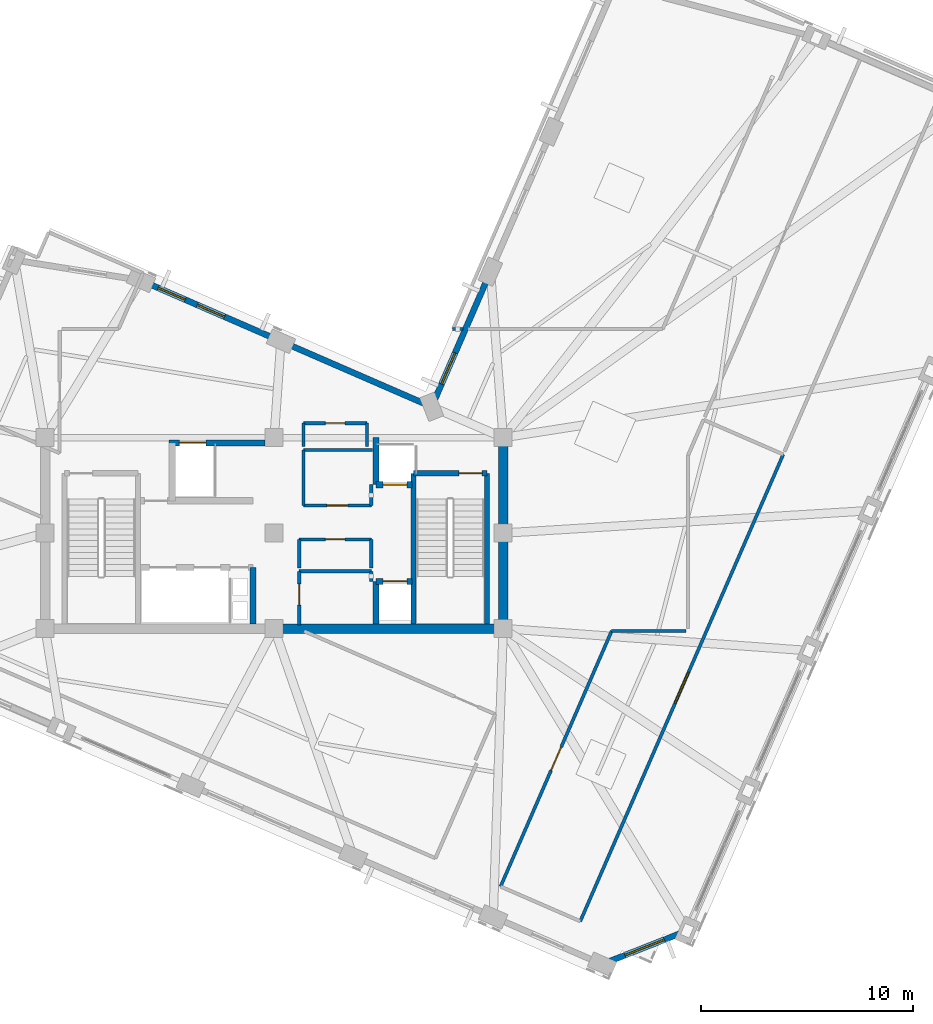
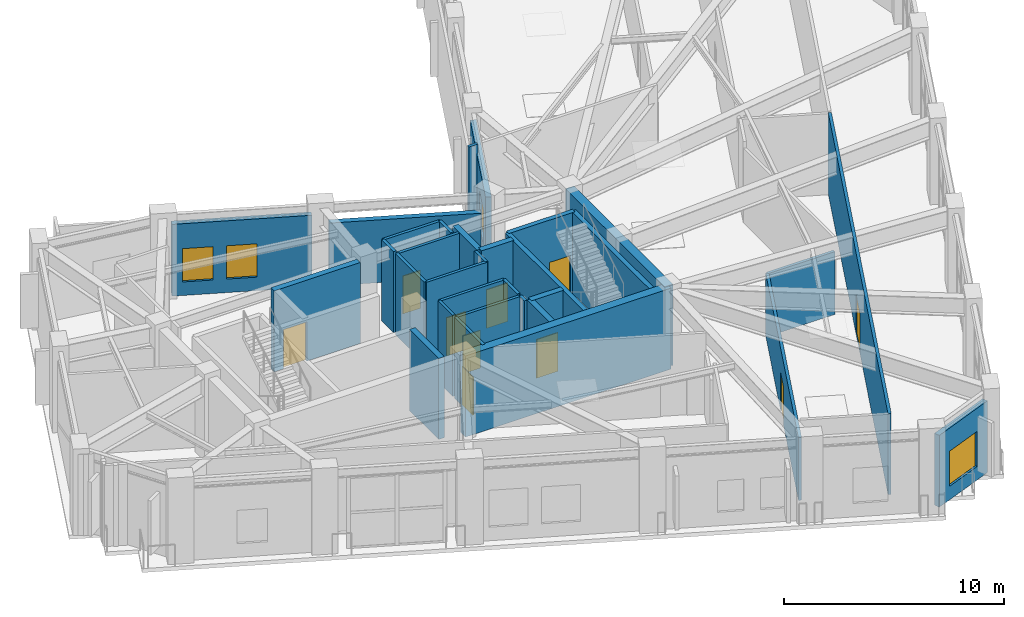
# One storey, part 11 of 16: 32 walls, 10 doors, 4 windows, 14 openings.
"""IFC4 building model written with IfcOpenShell, lengths in metres."""

from ifc_helpers import new_model, si_unit, direction, frame, frame_2d, origin, place, context, subcontext, project, spatial, rectangle, extrude, material, layer, layer_set, type_object, element, fill, save


model = new_model("IFC4")

# Units and contexts
model_context = context("Model", 3, precision=1e-05, world=origin(), true_north=direction((0.0, 1.0)))
body_context = subcontext(model_context, "Body", "Model", "MODEL_VIEW")
ifc_project = project(units=[si_unit("LENGTHUNIT", "METRE"), si_unit("AREAUNIT", "SQUARE_METRE"), si_unit("VOLUMEUNIT", "CUBIC_METRE"), si_unit("PLANEANGLEUNIT", "RADIAN"), si_unit("MASSUNIT", "GRAM", prefix="KILO")], contexts=[model_context])

# Site, building, storey
site_placement = place(None, origin())
site = spatial("IfcSite", under=ifc_project, at=site_placement, CompositionType="ELEMENT")
building_placement = place(site_placement, origin())
building = spatial("IfcBuilding", under=site, at=building_placement, Name="Gaonmaruhae Medical Tower", CompositionType="ELEMENT")
storey_placement = place(building_placement, frame((0.0, 0.0, 333.39990234375)))
storey = spatial("IfcBuildingStorey", under=building, at=storey_placement, Name="L80", CompositionType="ELEMENT", Elevation=333.39990234375)

# Walls
ifc_material_1 = material(Name="Concrete C50/60", Category="concrete")
ifc_layer_1 = layer(ifc_material_1, 0.449951171875)
ifc_layer_set_1 = layer_set([ifc_layer_1], Name="Concrete C50/60")
wall_type_1 = type_object("IfcWallType", Name="CW-450 Upper Core Shear Wall", PredefinedType="SHEAR", material=ifc_layer_set_1)
wall_1_placement = place(storey_placement, frame((24.800048828125, 7.800048828125, 0.0), z_axis=(0.0, 0.0, 1.0), x_axis=(1.0, 0.0, 0.0)))
element("IfcWall", 1, at=wall_1_placement, inside=storey, type_object=wall_type_1, Name="L80 Core Shear Wall CSW-S2", PredefinedType="SHEAR", context=body_context, shape_type="SweptSolid", body=[
    extrude(rectangle(XDim=10.800048828125, YDim=0.449951171875, at=frame_2d((5.39990234375, 0.0))), origin(), (0.0, 0.0, 1.0), 4.5),
])
wall_2_placement = place(storey_placement, frame((35.60009765625, 7.800048828125, 0.0), z_axis=(0.0, 0.0, 1.0), x_axis=(0.0, 1.0, 0.0)))
element("IfcWall", 2, at=wall_2_placement, inside=storey, type_object=wall_type_1, Name="L80 Core Shear Wall CSW-E1", PredefinedType="SHEAR", context=body_context, shape_type="SweptSolid", body=[
    extrude(rectangle(XDim=9.0, YDim=0.449951171875, at=frame_2d((4.5, 0.0))), origin(), (0.0, 0.0, 1.0), 4.5),
])

# Wall, opening, window
ifc_material_2 = material(Name="Precast concrete C45/55", Category="concrete")
ifc_layer_2 = layer(ifc_material_2, 0.280029296875)
ifc_layer_set_2 = layer_set([ifc_layer_2], Name="Precast concrete C45/55")
wall_type_2 = type_object("IfcWallType", Name="EW-280 Upper Precast Masonry-Frame Facade Wall", PredefinedType="SOLIDWALL", material=ifc_layer_set_2)
wall_3_placement = place(storey_placement, frame((32.384765625, 18.619384765625, 0.0), z_axis=(0.0, 0.0, 1.0), x_axis=(0.398753668733, 0.917058074318, 0.0)))
wall_3 = element("IfcWall", 3, at=wall_3_placement, inside=storey, type_object=wall_type_2, Name="L80 Precast Masonry-Frame Wall EN02-KN01", PredefinedType="SOLIDWALL", context=body_context, shape_type="SweptSolid", body=[
    extrude(rectangle(XDim=6.155029296875, YDim=0.280029296875, at=frame_2d((3.07763671875, 0.0))), origin(), (0.0, 0.0, 1.0), 3.985107421875),
])
opening_1_placement = place(wall_3_placement, frame((0.77490234375, 0.0, 0.75)))
opening_1 = element("IfcOpeningElement", 4, at=opening_1_placement, cuts=wall_3, Name="Opening WN-01", PredefinedType="OPENING", context=body_context, shape_type="SweptSolid", body=[
    extrude(rectangle(XDim=1.60009765625, YDim=1.949951171875, at=frame_2d((0.800048828125, 0.97509765625))), frame((0.0, 0.14990234375, 0.0), z_axis=(0.0, -1.0, 0.0), x_axis=(1.0, 0.0, 0.0)), (0.0, 0.0, 1.0), 0.300048828125),
])
ifc_material_3 = material(Name="Anodised aluminium and Low-E double glazing", Category="aluminium")
window_type_1 = type_object("IfcWindowType", Name="WN-01 Ward Punched Acoustic Window 1600x1950", PartitioningType="SINGLE_PANEL", PredefinedType="WINDOW", material=ifc_material_3)
window_1_placement = place(opening_1_placement, origin())
window_1 = element("IfcWindow", 5, at=window_1_placement, inside=storey, type_object=window_type_1, Name="L80 Modular Facade Window EN02", OverallHeight=1.949951171875, OverallWidth=1.60009765625, PartitioningType="SINGLE_PANEL", PredefinedType="WINDOW", context=body_context, shape_type="SweptSolid", body=[
    extrude(rectangle(XDim=1.60009765625, YDim=1.949951171875, at=frame_2d((0.800048828125, 0.97509765625))), frame((0.0, 0.030029296875, 0.0), z_axis=(0.0, -1.0, 0.0), x_axis=(1.0, 0.0, 0.0)), (0.0, 0.0, 1.0), 0.06005859375),
])
fill(opening_1, window_1)

# Wall
wall_4_placement = place(storey_placement, frame((25.483642578125, 21.186767578125, 0.0), z_axis=(0.0, 0.0, 1.0), x_axis=(0.917060568388, -0.398747932794, 0.0)))
element("IfcWall", 6, at=wall_4_placement, inside=storey, type_object=wall_type_2, Name="L80 Precast Masonry-Frame Wall KN01-NE01", PredefinedType="SOLIDWALL", context=body_context, shape_type="SweptSolid", body=[
    extrude(rectangle(XDim=6.954833984375, YDim=0.280029296875, at=frame_2d((3.4775390625, 0.0))), origin(), (0.0, 0.0, 1.0), 3.485107421875),
])

# Wall, openings, windows
wall_5_placement = place(storey_placement, frame((18.880859375, 24.0576171875, 0.0), z_axis=(0.0, 0.0, 1.0), x_axis=(0.917070056253, -0.398726111414, 0.0)))
wall_5 = element("IfcWall", 7, at=wall_5_placement, inside=storey, type_object=wall_type_2, Name="L80 Precast Masonry-Frame Wall NE01-NE02", PredefinedType="SOLIDWALL", context=body_context, shape_type="SweptSolid", body=[
    extrude(rectangle(XDim=6.40478515625, YDim=0.280029296875, at=frame_2d((3.202392578125, 0.0))), origin(), (0.0, 0.0, 1.0), 3.985107421875),
])
opening_2_placement = place(wall_5_placement, frame((2.50244140625, 0.0, 0.75)))
opening_2 = element("IfcOpeningElement", 8, at=opening_2_placement, cuts=wall_5, Name="Opening WN-03", PredefinedType="OPENING", context=body_context, shape_type="SweptSolid", body=[
    extrude(rectangle(XDim=1.39990234375, YDim=1.85009765625, at=frame_2d((0.699951171875, 0.925048828125))), frame((0.0, 0.14990234375, 0.0), z_axis=(0.0, -1.0, 0.0), x_axis=(1.0, 0.0, 0.0)), (0.0, 0.0, 1.0), 0.300048828125),
])
opening_3_placement = place(wall_5_placement, frame((0.486083984375, 0.0, 0.75)))
opening_3 = element("IfcOpeningElement", 9, at=opening_3_placement, cuts=wall_5, Name="Opening WN-03", PredefinedType="OPENING", context=body_context, shape_type="SweptSolid", body=[
    extrude(rectangle(XDim=1.39990234375, YDim=1.85009765625, at=frame_2d((0.699951171875, 0.925048828125))), frame((0.0, 0.14990234375, 0.0), z_axis=(0.0, -1.0, 0.0), x_axis=(1.0, 0.0, 0.0)), (0.0, 0.0, 1.0), 0.300048828125),
])
window_type_2 = type_object("IfcWindowType", Name="WN-03 Isolation Ward Punched Window 1400x1850", PartitioningType="SINGLE_PANEL", PredefinedType="WINDOW", material=ifc_material_3)
window_2_placement = place(opening_2_placement, origin())
window_2 = element("IfcWindow", 10, at=window_2_placement, inside=storey, type_object=window_type_2, Name="L80 Modular Facade Window NE01", OverallHeight=1.85009765625, OverallWidth=1.39990234375, PartitioningType="SINGLE_PANEL", PredefinedType="WINDOW", context=body_context, shape_type="SweptSolid", body=[
    extrude(rectangle(XDim=1.39990234375, YDim=1.85009765625, at=frame_2d((0.699951171875, 0.925048828125))), frame((0.0, 0.030029296875, 0.0), z_axis=(0.0, -1.0, 0.0), x_axis=(1.0, 0.0, 0.0)), (0.0, 0.0, 1.0), 0.06005859375),
])
fill(opening_2, window_2)
window_3_placement = place(opening_3_placement, origin())
window_3 = element("IfcWindow", 11, at=window_3_placement, inside=storey, type_object=window_type_2, Name="L80 Modular Facade Window NE01B", OverallHeight=1.85009765625, OverallWidth=1.39990234375, PartitioningType="SINGLE_PANEL", PredefinedType="WINDOW", context=body_context, shape_type="SweptSolid", body=[
    extrude(rectangle(XDim=1.39990234375, YDim=1.85009765625, at=frame_2d((0.699951171875, 0.925048828125))), frame((0.0, 0.030029296875, 0.0), z_axis=(0.0, -1.0, 0.0), x_axis=(1.0, 0.0, 0.0)), (0.0, 0.0, 1.0), 0.06005859375),
])
fill(opening_3, window_3)

# Wall, opening, window
wall_6_placement = place(storey_placement, frame((43.9052734375, -6.593994140625, 0.0), z_axis=(0.0, 0.0, 1.0), x_axis=(-0.930406958637, -0.366528158974, 0.0)))
wall_6 = element("IfcWall", 12, at=wall_6_placement, inside=storey, type_object=wall_type_2, Name="L80 Precast Masonry-Frame Wall W06-S01", PredefinedType="SOLIDWALL", context=body_context, shape_type="SweptSolid", body=[
    extrude(rectangle(XDim=3.518310546875, YDim=0.280029296875, at=frame_2d((1.75927734375, 0.0))), origin(), (0.0, 0.0, 1.0), 3.985107421875),
])
opening_4_placement = place(wall_6_placement, frame((0.759033203125, 0.0, 0.75)))
opening_4 = element("IfcOpeningElement", 13, at=opening_4_placement, cuts=wall_6, Name="Opening WN-02", PredefinedType="OPENING", context=body_context, shape_type="SweptSolid", body=[
    extrude(rectangle(XDim=2.0, YDim=1.949951171875, at=frame_2d((1.0, 0.97509765625))), frame((0.0, 0.14990234375, 0.0), z_axis=(0.0, -1.0, 0.0), x_axis=(1.0, 0.0, 0.0)), (0.0, 0.0, 1.0), 0.300048828125),
])
window_type_3 = type_object("IfcWindowType", Name="WN-02 Double-Bed Ward Punched Window 2000x1950", PartitioningType="SINGLE_PANEL", PredefinedType="WINDOW", material=ifc_material_3)
window_4_placement = place(opening_4_placement, origin())
window_4 = element("IfcWindow", 14, at=window_4_placement, inside=storey, type_object=window_type_3, Name="L80 Modular Facade Window W06", OverallHeight=1.949951171875, OverallWidth=2.0, PartitioningType="SINGLE_PANEL", PredefinedType="WINDOW", context=body_context, shape_type="SweptSolid", body=[
    extrude(rectangle(XDim=2.0, YDim=1.949951171875, at=frame_2d((1.0, 0.97509765625))), frame((0.0, 0.030029296875, 0.0), z_axis=(0.0, -1.0, 0.0), x_axis=(1.0, 0.0, 0.0)), (0.0, 0.0, 1.0), 0.06005859375),
])
fill(opening_4, window_4)

# Wall, opening, door
ifc_material_4 = material(Name="Gypsum board partition", Category="gypsum")
ifc_layer_3 = layer(ifc_material_4, 0.14990234375)
ifc_layer_set_3 = layer_set([ifc_layer_3], Name="Gypsum board partition")
wall_type_3 = type_object("IfcWallType", Name="PW-150 Rated Clinical Corridor Partition", PredefinedType="PARTITIONING", material=ifc_layer_set_3)
wall_7_placement = place(storey_placement, frame((25.97998046875, 7.9599609375, 0.0), z_axis=(0.0, 0.0, 1.0), x_axis=(0.0, 1.0, 0.0)))
wall_7 = element("IfcWall", 15, at=wall_7_placement, inside=storey, type_object=wall_type_3, Name="L80 Interior Partition L80-RCL1-1", PredefinedType="PARTITIONING", context=body_context, shape_type="SweptSolid", body=[
    extrude(rectangle(XDim=2.5400390625, YDim=0.14990234375, at=frame_2d((1.27001953125, 0.0))), origin(), (0.0, 0.0, 1.0), 4.5),
])
opening_5_placement = place(wall_7_placement, frame((0.945068359375, 0.0, 0.0)))
opening_5 = element("IfcOpeningElement", 16, at=opening_5_placement, cuts=wall_7, Name="Opening CD-01", PredefinedType="OPENING", context=body_context, shape_type="SweptSolid", body=[
    extrude(rectangle(XDim=1.0, YDim=2.1201171875, at=frame_2d((0.5, 1.06005859375))), frame((0.0, 0.0849609375, 0.0), z_axis=(0.0, -1.0, 0.0), x_axis=(1.0, 0.0, 0.0)), (0.0, 0.0, 1.0), 0.169921875),
])
ifc_material_5 = material(Name="Antimicrobial laminate timber fire door", Category="wood")
door_type_1 = type_object("IfcDoorType", Name="CD-01 Consultation & Physician Office Door 1000x2120", OperationType="NOTDEFINED", PredefinedType="DOOR", material=ifc_material_5)
door_1_placement = place(opening_5_placement, origin())
door_1 = element("IfcDoor", 17, at=door_1_placement, inside=storey, type_object=door_type_1, Name="L80 Clinical Telemetry and Medication Room Door", OperationType="SINGLE_SWING_RIGHT", OverallHeight=2.1201171875, OverallWidth=1.0, PredefinedType="DOOR", context=body_context, shape_type="SweptSolid", body=[
    extrude(rectangle(XDim=1.0, YDim=2.1201171875, at=frame_2d((0.5, 1.06005859375))), frame((0.0, 0.02490234375, 0.0), z_axis=(0.0, -1.0, 0.0), x_axis=(1.0, 0.0, 0.0)), (0.0, 0.0, 1.0), 0.050048828125),
])
fill(opening_5, door_1)

# Walls
wall_8_placement = place(storey_placement, frame((25.97998046875, 10.5, 0.0), z_axis=(0.0, 0.0, 1.0), x_axis=(1.0, 0.0, 0.0)))
element("IfcWall", 18, at=wall_8_placement, inside=storey, type_object=wall_type_3, Name="L80 Interior Partition L80-RCL1-2", PredefinedType="PARTITIONING", context=body_context, shape_type="SweptSolid", body=[
    extrude(rectangle(XDim=3.39990234375, YDim=0.14990234375, at=frame_2d((1.699951171875, 0.0))), origin(), (0.0, 0.0, 1.0), 4.5),
])
wall_9_placement = place(storey_placement, frame((29.3798828125, 10.5, 0.0), z_axis=(0.0, 0.0, 1.0), x_axis=(0.0, -1.0, 0.0)))
element("IfcWall", 19, at=wall_9_placement, inside=storey, type_object=wall_type_3, Name="L80 Interior Partition L80-RCL1-3", PredefinedType="PARTITIONING", context=body_context, shape_type="SweptSolid", body=[
    extrude(rectangle(XDim=0.47998046875, YDim=0.14990234375, at=frame_2d((0.239990234375, 0.0))), origin(), (0.0, 0.0, 1.0), 4.5),
])
wall_10_placement = place(storey_placement, frame((25.97998046875, 10.659912109375, 0.0), z_axis=(0.0, 0.0, 1.0), x_axis=(0.0, 1.0, 0.0)))
element("IfcWall", 20, at=wall_10_placement, inside=storey, type_object=wall_type_3, Name="L80 Interior Partition L80-CS1-4", PredefinedType="PARTITIONING", context=body_context, shape_type="SweptSolid", body=[
    extrude(rectangle(XDim=1.340087890625, YDim=0.14990234375, at=frame_2d((0.669921875, 0.0))), origin(), (0.0, 0.0, 1.0), 4.5),
])

# Wall, opening, door
wall_11_placement = place(storey_placement, frame((25.97998046875, 12.0, 0.0), z_axis=(0.0, 0.0, 1.0), x_axis=(1.0, 0.0, 0.0)))
wall_11 = element("IfcWall", 21, at=wall_11_placement, inside=storey, type_object=wall_type_3, Name="L80 Interior Partition L80-CS1-5", PredefinedType="PARTITIONING", context=body_context, shape_type="SweptSolid", body=[
    extrude(rectangle(XDim=3.39990234375, YDim=0.14990234375, at=frame_2d((1.699951171875, 0.0))), origin(), (0.0, 0.0, 1.0), 4.5),
])
opening_6_placement = place(wall_11_placement, frame((1.239990234375, 0.0, 0.0)))
opening_6 = element("IfcOpeningElement", 22, at=opening_6_placement, cuts=wall_11, Name="Opening UD-01", PredefinedType="OPENING", context=body_context, shape_type="SweptSolid", body=[
    extrude(rectangle(XDim=0.919921875, YDim=2.10009765625, at=frame_2d((0.4599609375, 1.050048828125))), frame((0.0, 0.0849609375, 0.0), z_axis=(0.0, -1.0, 0.0), x_axis=(1.0, 0.0, 0.0)), (0.0, 0.0, 1.0), 0.169921875),
])
ifc_material_6 = material(Name="Powder-coated steel utility door", Category="steel")
door_type_2 = type_object("IfcDoorType", Name="UD-01 Toilet, Utility & Housekeeping Door 920x2100", OperationType="NOTDEFINED", PredefinedType="DOOR", material=ifc_material_6)
door_2_placement = place(opening_6_placement, origin())
door_2 = element("IfcDoor", 23, at=door_2_placement, inside=storey, type_object=door_type_2, Name="L80 Accessible Staff Toilet Door", OperationType="SINGLE_SWING_LEFT", OverallHeight=2.10009765625, OverallWidth=0.919921875, PredefinedType="DOOR", context=body_context, shape_type="SweptSolid", body=[
    extrude(rectangle(XDim=0.919921875, YDim=2.10009765625, at=frame_2d((0.4599609375, 1.050048828125))), frame((0.0, 0.02490234375, 0.0), z_axis=(0.0, -1.0, 0.0), x_axis=(1.0, 0.0, 0.0)), (0.0, 0.0, 1.0), 0.050048828125),
])
fill(opening_6, door_2)

# Walls
wall_12_placement = place(storey_placement, frame((29.3798828125, 12.0, 0.0), z_axis=(0.0, 0.0, 1.0), x_axis=(0.0, -1.0, 0.0)))
element("IfcWall", 24, at=wall_12_placement, inside=storey, type_object=wall_type_3, Name="L80 Interior Partition L80-CS1-6", PredefinedType="PARTITIONING", context=body_context, shape_type="SweptSolid", body=[
    extrude(rectangle(XDim=1.340087890625, YDim=0.14990234375, at=frame_2d((0.669921875, 0.0))), origin(), (0.0, 0.0, 1.0), 4.5),
])
wall_13_placement = place(storey_placement, frame((26.179931640625, 13.60009765625, 0.0), z_axis=(0.0, 0.0, 1.0), x_axis=(0.0, 1.0, 0.0)))
element("IfcWall", 25, at=wall_13_placement, inside=storey, type_object=wall_type_3, Name="L80 Interior Partition L80-RCL2-7", PredefinedType="PARTITIONING", context=body_context, shape_type="SweptSolid", body=[
    extrude(rectangle(XDim=2.619873046875, YDim=0.14990234375, at=frame_2d((1.31005859375, 0.0))), origin(), (0.0, 0.0, 1.0), 4.5),
])
wall_14_placement = place(storey_placement, frame((26.179931640625, 16.219970703125, 0.0), z_axis=(0.0, 0.0, 1.0), x_axis=(1.0, 0.0, 0.0)))
element("IfcWall", 26, at=wall_14_placement, inside=storey, type_object=wall_type_3, Name="L80 Interior Partition L80-RCL2-8", PredefinedType="PARTITIONING", context=body_context, shape_type="SweptSolid", body=[
    extrude(rectangle(XDim=3.260009765625, YDim=0.14990234375, at=frame_2d((1.6298828125, 0.0))), origin(), (0.0, 0.0, 1.0), 4.5),
])
wall_15_placement = place(storey_placement, frame((29.3798828125, 14.580078125, 0.0), z_axis=(0.0, 0.0, 1.0), x_axis=(0.0, -1.0, 0.0)))
element("IfcWall", 27, at=wall_15_placement, inside=storey, type_object=wall_type_3, Name="L80 Interior Partition L80-RCL2-9", PredefinedType="PARTITIONING", context=body_context, shape_type="SweptSolid", body=[
    extrude(rectangle(XDim=0.97998046875, YDim=0.14990234375, at=frame_2d((0.489990234375, 0.0))), origin(), (0.0, 0.0, 1.0), 4.5),
])

# Wall, opening, door
wall_16_placement = place(storey_placement, frame((29.3798828125, 13.60009765625, 0.0), z_axis=(0.0, 0.0, 1.0), x_axis=(-1.0, 0.0, 0.0)))
wall_16 = element("IfcWall", 28, at=wall_16_placement, inside=storey, type_object=wall_type_3, Name="L80 Interior Partition L80-RCL2-10", PredefinedType="PARTITIONING", context=body_context, shape_type="SweptSolid", body=[
    extrude(rectangle(XDim=3.199951171875, YDim=0.14990234375, at=frame_2d((1.60009765625, 0.0))), origin(), (0.0, 0.0, 1.0), 4.5),
])
opening_7_placement = place(wall_16_placement, frame((1.10009765625, 0.0, 0.0)))
opening_7 = element("IfcOpeningElement", 29, at=opening_7_placement, cuts=wall_16, Name="Opening CD-01", PredefinedType="OPENING", context=body_context, shape_type="SweptSolid", body=[
    extrude(rectangle(XDim=1.0, YDim=2.1201171875, at=frame_2d((0.5, 1.06005859375))), frame((0.0, 0.0849609375, 0.0), z_axis=(0.0, -1.0, 0.0), x_axis=(1.0, 0.0, 0.0)), (0.0, 0.0, 1.0), 0.169921875),
])
door_3_placement = place(opening_7_placement, origin())
door_3 = element("IfcDoor", 30, at=door_3_placement, inside=storey, type_object=door_type_1, Name="L80 High-Zone Specialist Pharmacy Prep Room Door", OperationType="SINGLE_SWING_LEFT", OverallHeight=2.1201171875, OverallWidth=1.0, PredefinedType="DOOR", context=body_context, shape_type="SweptSolid", body=[
    extrude(rectangle(XDim=1.0, YDim=2.1201171875, at=frame_2d((0.5, 1.06005859375))), frame((0.0, 0.02490234375, 0.0), z_axis=(0.0, -1.0, 0.0), x_axis=(1.0, 0.0, 0.0)), (0.0, 0.0, 1.0), 0.050048828125),
])
fill(opening_7, door_3)

# Wall
wall_17_placement = place(storey_placement, frame((26.179931640625, 16.3798828125, 0.0), z_axis=(0.0, 0.0, 1.0), x_axis=(0.0, 1.0, 0.0)))
element("IfcWall", 31, at=wall_17_placement, inside=storey, type_object=wall_type_3, Name="L80 Interior Partition L80-CS2-11", PredefinedType="PARTITIONING", context=body_context, shape_type="SweptSolid", body=[
    extrude(rectangle(XDim=1.10009765625, YDim=0.14990234375, at=frame_2d((0.550048828125, 0.0))), origin(), (0.0, 0.0, 1.0), 4.5),
])

# Wall, opening, door
wall_18_placement = place(storey_placement, frame((26.179931640625, 17.47998046875, 0.0), z_axis=(0.0, 0.0, 1.0), x_axis=(1.0, 0.0, 0.0)))
wall_18 = element("IfcWall", 32, at=wall_18_placement, inside=storey, type_object=wall_type_3, Name="L80 Interior Partition L80-CS2-12", PredefinedType="PARTITIONING", context=body_context, shape_type="SweptSolid", body=[
    extrude(rectangle(XDim=3.0, YDim=0.14990234375, at=frame_2d((1.5, 0.0))), origin(), (0.0, 0.0, 1.0), 4.5),
])
opening_8_placement = place(wall_18_placement, frame((1.0400390625, 0.0, 0.0)))
opening_8 = element("IfcOpeningElement", 33, at=opening_8_placement, cuts=wall_18, Name="Opening UD-01", PredefinedType="OPENING", context=body_context, shape_type="SweptSolid", body=[
    extrude(rectangle(XDim=0.919921875, YDim=2.10009765625, at=frame_2d((0.4599609375, 1.050048828125))), frame((0.0, 0.0849609375, 0.0), z_axis=(0.0, -1.0, 0.0), x_axis=(1.0, 0.0, 0.0)), (0.0, 0.0, 1.0), 0.169921875),
])
door_4_placement = place(opening_8_placement, origin())
door_4 = element("IfcDoor", 34, at=door_4_placement, inside=storey, type_object=door_type_2, Name="L80 Biomedical Telemetry Closet Door", OperationType="SINGLE_SWING_LEFT", OverallHeight=2.10009765625, OverallWidth=0.919921875, PredefinedType="DOOR", context=body_context, shape_type="SweptSolid", body=[
    extrude(rectangle(XDim=0.919921875, YDim=2.10009765625, at=frame_2d((0.4599609375, 1.050048828125))), frame((0.0, 0.02490234375, 0.0), z_axis=(0.0, -1.0, 0.0), x_axis=(1.0, 0.0, 0.0)), (0.0, 0.0, 1.0), 0.050048828125),
])
fill(opening_8, door_4)

# Wall
wall_19_placement = place(storey_placement, frame((29.179931640625, 17.47998046875, 0.0), z_axis=(0.0, 0.0, 1.0), x_axis=(0.0, -1.0, 0.0)))
element("IfcWall", 35, at=wall_19_placement, inside=storey, type_object=wall_type_3, Name="L80 Interior Partition L80-CS2-13", PredefinedType="PARTITIONING", context=body_context, shape_type="SweptSolid", body=[
    extrude(rectangle(XDim=1.10009765625, YDim=0.14990234375, at=frame_2d((0.550048828125, 0.0))), origin(), (0.0, 0.0, 1.0), 4.5),
])

# Wall, opening, door
wall_20_placement = place(storey_placement, frame((48.804931640625, 16.008056640625, 0.0), z_axis=(0.0, 0.0, 1.0), x_axis=(-0.398735038465, -0.917066174875, 0.0)))
wall_20 = element("IfcWall", 36, at=wall_20_placement, inside=storey, type_object=wall_type_3, Name="L80 Interior Partition L80-LOOK-17", PredefinedType="PARTITIONING", context=body_context, shape_type="SweptSolid", body=[
    extrude(rectangle(XDim=24.00048828125, YDim=0.14990234375, at=frame_2d((12.000244140625, 0.0))), origin(), (0.0, 0.0, 1.0), 4.5),
])
opening_9_placement = place(wall_20_placement, frame((11.2001953125, 0.0, 0.0)))
opening_9 = element("IfcOpeningElement", 37, at=opening_9_placement, cuts=wall_20, Name="Opening TD-02", PredefinedType="OPENING", context=body_context, shape_type="SweptSolid", body=[
    extrude(rectangle(XDim=1.60009765625, YDim=2.199951171875, at=frame_2d((0.800048828125, 1.10009765625))), frame((0.0, 0.0849609375, 0.0), z_axis=(0.0, -1.0, 0.0), x_axis=(1.0, 0.0, 0.0)), (0.0, 0.0, 1.0), 0.169921875),
])
ifc_material_7 = material(Name="Anodised aluminium and toughened safety glass", Category="aluminium")
door_type_3 = type_object("IfcDoorType", Name="TD-02 Observation Deck Double Access Door 1600x2200", OperationType="NOTDEFINED", PredefinedType="DOOR", material=ifc_material_7)
door_5_placement = place(opening_9_placement, origin())
door_5 = element("IfcDoor", 38, at=door_5_placement, inside=storey, type_object=door_type_3, Name="L80 Observation Deck Access Door", OperationType="DOUBLE_DOOR_SINGLE_SWING", OverallHeight=2.199951171875, OverallWidth=1.60009765625, PredefinedType="DOOR", context=body_context, shape_type="SweptSolid", body=[
    extrude(rectangle(XDim=1.60009765625, YDim=2.199951171875, at=frame_2d((0.800048828125, 1.10009765625))), frame((0.0, 0.02490234375, 0.0), z_axis=(0.0, -1.0, 0.0), x_axis=(1.0, 0.0, 0.0)), (0.0, 0.0, 1.0), 0.050048828125),
])
fill(opening_9, door_5)

wall_21_placement = place(storey_placement, frame((35.47509765625, -4.366943359375, 0.0), z_axis=(0.0, 0.0, 1.0), x_axis=(0.398727470588, 0.917069465307, 0.0)))
wall_21 = element("IfcWall", 39, at=wall_21_placement, inside=storey, type_object=wall_type_3, Name="L80 Interior Partition L80-LOOK-19", PredefinedType="PARTITIONING", context=body_context, shape_type="SweptSolid", body=[
    extrude(rectangle(XDim=13.13623046875, YDim=0.14990234375, at=frame_2d((6.568115234375, 0.0))), origin(), (0.0, 0.0, 1.0), 3.485107421875),
])
opening_10_placement = place(wall_21_placement, frame((5.96826171875, 0.0, 0.0)))
opening_10 = element("IfcOpeningElement", 40, at=opening_10_placement, cuts=wall_21, Name="Opening CD-02", PredefinedType="OPENING", context=body_context, shape_type="SweptSolid", body=[
    extrude(rectangle(XDim=1.199951171875, YDim=2.14990234375, at=frame_2d((0.60009765625, 1.074951171875))), frame((0.0, 0.0849609375, 0.0), z_axis=(0.0, -1.0, 0.0), x_axis=(1.0, 0.0, 0.0)), (0.0, 0.0, 1.0), 0.169921875),
])
door_type_4 = type_object("IfcDoorType", Name="CD-02 Clinical Treatment & Procedure Door 1200x2150", OperationType="NOTDEFINED", PredefinedType="DOOR", material=ifc_material_5)
door_6_placement = place(opening_10_placement, origin())
door_6 = element("IfcDoor", 41, at=door_6_placement, inside=storey, type_object=door_type_4, Name="L80 Busan Harbour Indoor Lookout Gallery Door", OperationType="SINGLE_SWING_RIGHT", OverallHeight=2.14990234375, OverallWidth=1.199951171875, PredefinedType="DOOR", context=body_context, shape_type="SweptSolid", body=[
    extrude(rectangle(XDim=1.199951171875, YDim=2.14990234375, at=frame_2d((0.60009765625, 1.074951171875))), frame((0.0, 0.02490234375, 0.0), z_axis=(0.0, -1.0, 0.0), x_axis=(1.0, 0.0, 0.0)), (0.0, 0.0, 1.0), 0.050048828125),
])
fill(opening_10, door_6)

# Walls
wall_22_placement = place(storey_placement, frame((40.712890625, 7.679931640625, 0.0), z_axis=(0.0, 0.0, 1.0), x_axis=(0.999999961053, 0.000279095719, 0.0)))
element("IfcWall", 42, at=wall_22_placement, inside=storey, type_object=wall_type_3, Name="L80 Interior Partition L80-LOOK-20", PredefinedType="PARTITIONING", context=body_context, shape_type="SweptSolid", body=[
    extrude(rectangle(XDim=3.4990234375, YDim=0.14990234375, at=frame_2d((1.74951171875, 0.0))), origin(), (0.0, 0.0, 1.0), 3.485107421875),
])
wall_23_placement = place(storey_placement, frame((33.694091796875, 21.919921875, 0.0), z_axis=(0.0, 0.0, 1.0), x_axis=(-1.0, 0.0, 0.0)))
element("IfcWall", 43, at=wall_23_placement, inside=storey, type_object=wall_type_3, Name="L80 Interior Partition L80-EXHB-26", PredefinedType="PARTITIONING", context=body_context, shape_type="SweptSolid", body=[
    extrude(rectangle(XDim=0.47412109375, YDim=0.14990234375, at=frame_2d((0.237060546875, 0.0))), origin(), (0.0, 0.0, 1.0), 4.5),
])

# Wall, opening, door
ifc_layer_4 = layer(ifc_material_1, 0.239990234375)
ifc_layer_set_4 = layer_set([ifc_layer_4], Name="Concrete C50/60")
wall_type_4 = type_object("IfcWallType", Name="SW-240 Dogleg Stair Tight Shaft Wall", PredefinedType="SOLIDWALL", material=ifc_layer_set_4)
wall_24_placement = place(storey_placement, frame((31.3701171875, 15.1201171875, 0.0), z_axis=(0.0, 0.0, 1.0), x_axis=(1.0, 0.0, 0.0)))
wall_24 = element("IfcWall", 44, at=wall_24_placement, inside=storey, type_object=wall_type_4, Name="L80 ST-02 Stair Shaft Wall SHW-ST-02-N", PredefinedType="SOLIDWALL", context=body_context, shape_type="SweptSolid", body=[
    extrude(rectangle(XDim=3.4599609375, YDim=0.239990234375, at=frame_2d((1.72998046875, 0.0))), origin(), (0.0, 0.0, 1.0), 4.5),
])
opening_11_placement = place(wall_24_placement, frame((2.139892578125, 0.0, 0.0)))
opening_11 = element("IfcOpeningElement", 45, at=opening_11_placement, cuts=wall_24, Name="Opening FD-01", PredefinedType="OPENING", context=body_context, shape_type="SweptSolid", body=[
    extrude(rectangle(XDim=1.10009765625, YDim=2.14990234375, at=frame_2d((0.550048828125, 1.074951171875))), frame((0.0, 0.1298828125, 0.0), z_axis=(0.0, -1.0, 0.0), x_axis=(1.0, 0.0, 0.0)), (0.0, 0.0, 1.0), 0.260009765625),
])
ifc_material_8 = material(Name="Powder-coated steel fire door", Category="steel")
door_type_5 = type_object("IfcDoorType", Name="FD-01 Escape Stair Protected Fire Door 1100x2150", OperationType="NOTDEFINED", PredefinedType="DOOR", material=ifc_material_8)
door_7_placement = place(opening_11_placement, origin())
door_7 = element("IfcDoor", 46, at=door_7_placement, inside=storey, type_object=door_type_5, Name="L80 ST-02 Protected Escape Stair Door", OperationType="SINGLE_SWING_LEFT", OverallHeight=2.14990234375, OverallWidth=1.10009765625, PredefinedType="DOOR", context=body_context, shape_type="SweptSolid", body=[
    extrude(rectangle(XDim=1.10009765625, YDim=2.14990234375, at=frame_2d((0.550048828125, 1.074951171875))), frame((0.0, 0.02490234375, 0.0), z_axis=(0.0, -1.0, 0.0), x_axis=(1.0, 0.0, 0.0)), (0.0, 0.0, 1.0), 0.050048828125),
])
fill(opening_11, door_7)

# Walls
for number, where, z_axis, x_axis, name in (
    (47, (34.830078125, 15.1201171875, 0.0), (0.0, 0.0, 1.0), (0.0, -1.0, 0.0), "L80 ST-02 Stair Shaft Wall SHW-ST-02-E"),
    (48, (31.3701171875, 8.02490234375, 0.0), (0.0, 0.0, 1.0), (0.0, 1.0, 0.0), "L80 ST-02 Stair Shaft Wall SHW-ST-02-W"),
):
    element("IfcWall", number, at=place(storey_placement, frame(where, z_axis=z_axis, x_axis=x_axis)), inside=storey, type_object=wall_type_4, Name=name, PredefinedType="SOLIDWALL", context=body_context, shape_type="SweptSolid", body=[
        extrude(rectangle(XDim=7.09521484375, YDim=0.239990234375, at=frame_2d((3.547607421875, 0.0))), origin(), (0.0, 0.0, 1.0), 4.5),
    ])

# Wall, opening, door
ifc_layer_5 = layer(ifc_material_1, 0.300048828125)
ifc_layer_set_5 = layer_set([ifc_layer_5], Name="Concrete C50/60")
wall_type_5 = type_object("IfcWallType", Name="SW-300 Stair & Lift Hoistway Shaft Wall", PredefinedType="SOLIDWALL", material=ifc_layer_set_5)
wall_25_placement = place(storey_placement, frame((19.85009765625, 16.550048828125, 0.0), z_axis=(0.0, 0.0, 1.0), x_axis=(1.0, 0.0, 0.0)))
wall_25 = element("IfcWall", 49, at=wall_25_placement, inside=storey, type_object=wall_type_5, Name="L80 Core Shear Wall CSW-NB", PredefinedType="SOLIDWALL", context=body_context, shape_type="SweptSolid", body=[
    extrude(rectangle(XDim=4.52490234375, YDim=0.300048828125, at=frame_2d((2.262451171875, 0.0))), origin(), (0.0, 0.0, 1.0), 4.5),
])
opening_12_placement = place(wall_25_placement, frame((0.47509765625, 0.0, 0.0)))
opening_12 = element("IfcOpeningElement", 50, at=opening_12_placement, cuts=wall_25, Name="Opening LD-F1", PredefinedType="OPENING", context=body_context, shape_type="SweptSolid", body=[
    extrude(rectangle(XDim=1.25, YDim=2.179931640625, at=frame_2d((0.625, 1.08984375))), frame((0.0, 0.16015625, 0.0), z_axis=(0.0, -1.0, 0.0), x_axis=(1.0, 0.0, 0.0)), (0.0, 0.0, 1.0), 0.320068359375),
])
ifc_material_9 = material(Name="Brushed stainless steel 316L landing door", Category="steel")
door_type_6 = type_object("IfcDoorType", Name="LD-F1 Firefighting & Bed Lift Sliding Landing Door 1250x2180", OperationType="NOTDEFINED", PredefinedType="DOOR", material=ifc_material_9)
door_8_placement = place(opening_12_placement, origin())
door_8 = element("IfcDoor", 51, at=door_8_placement, inside=storey, type_object=door_type_6, Name="L80 Service/Bed Lift Landing Door BDL-01", OperationType="DOUBLE_DOOR_SLIDING", OverallHeight=2.179931640625, OverallWidth=1.25, PredefinedType="DOOR", context=body_context, shape_type="SweptSolid", body=[
    extrude(rectangle(XDim=1.25, YDim=2.179931640625, at=frame_2d((0.625, 1.08984375))), frame((0.0, 0.02490234375, 0.0), z_axis=(0.0, -1.0, 0.0), x_axis=(1.0, 0.0, 0.0)), (0.0, 0.0, 1.0), 0.050048828125),
])
fill(opening_12, door_8)

# Wall
wall_26_placement = place(storey_placement, frame((23.800048828125, 8.02490234375, 0.0), z_axis=(0.0, 0.0, 1.0), x_axis=(0.0, 1.0, 0.0)))
element("IfcWall", 52, at=wall_26_placement, inside=storey, type_object=wall_type_5, Name="L80 Shaft Enclosure Wall SHW-FFE", PredefinedType="SOLIDWALL", context=body_context, shape_type="SweptSolid", body=[
    extrude(rectangle(XDim=2.655029296875, YDim=0.300048828125, at=frame_2d((1.32763671875, 0.0))), origin(), (0.0, 0.0, 1.0), 4.5),
])

# Wall, opening, door
wall_27_placement = place(storey_placement, frame((29.60009765625, 10.02001953125, 0.0), z_axis=(0.0, 0.0, 1.0), x_axis=(1.0, 0.0, 0.0)))
wall_27 = element("IfcWall", 53, at=wall_27_placement, inside=storey, type_object=wall_type_5, Name="L80 Shaft Enclosure Wall SHW-PLS", PredefinedType="SOLIDWALL", context=body_context, shape_type="SweptSolid", body=[
    extrude(rectangle(XDim=1.699951171875, YDim=0.300048828125, at=frame_2d((0.85009765625, 0.0))), origin(), (0.0, 0.0, 1.0), 4.5),
])
opening_13_placement = place(wall_27_placement, frame((0.340087890625, 0.0, 0.0)))
opening_13 = element("IfcOpeningElement", 54, at=opening_13_placement, cuts=wall_27, Name="Opening LD-P1", PredefinedType="OPENING", context=body_context, shape_type="SweptSolid", body=[
    extrude(rectangle(XDim=1.1201171875, YDim=2.14990234375, at=frame_2d((0.56005859375, 1.074951171875))), frame((0.0, 0.16015625, 0.0), z_axis=(0.0, -1.0, 0.0), x_axis=(1.0, 0.0, 0.0)), (0.0, 0.0, 1.0), 0.320068359375),
])
ifc_material_10 = material(Name="Brushed stainless steel 304 landing door", Category="steel")
door_type_7 = type_object("IfcDoorType", Name="LD-P1 Passenger Lift Sliding Landing Door 1120x2150", OperationType="NOTDEFINED", PredefinedType="DOOR", material=ifc_material_10)
door_9_placement = place(opening_13_placement, origin())
door_9 = element("IfcDoor", 55, at=door_9_placement, inside=storey, type_object=door_type_7, Name="L80 Passenger Lift Landing Door PL-H1", OperationType="DOUBLE_DOOR_SLIDING", OverallHeight=2.14990234375, OverallWidth=1.1201171875, PredefinedType="DOOR", context=body_context, shape_type="SweptSolid", body=[
    extrude(rectangle(XDim=1.1201171875, YDim=2.14990234375, at=frame_2d((0.56005859375, 1.074951171875))), frame((0.0, 0.02490234375, 0.0), z_axis=(0.0, -1.0, 0.0), x_axis=(1.0, 0.0, 0.0)), (0.0, 0.0, 1.0), 0.050048828125),
])
fill(opening_13, door_9)

# Wall
wall_28_placement = place(storey_placement, frame((29.60009765625, 8.02490234375, 0.0), z_axis=(0.0, 0.0, 1.0), x_axis=(0.0, 1.0, 0.0)))
element("IfcWall", 56, at=wall_28_placement, inside=storey, type_object=wall_type_5, Name="L80 Shaft Enclosure Wall SHW-PLD1", PredefinedType="SOLIDWALL", context=body_context, shape_type="SweptSolid", body=[
    extrude(rectangle(XDim=1.9951171875, YDim=0.300048828125, at=frame_2d((0.99755859375, 0.0))), origin(), (0.0, 0.0, 1.0), 4.5),
])

# Wall, opening, door
wall_29_placement = place(storey_placement, frame((29.60009765625, 14.580078125, 0.0), z_axis=(0.0, 0.0, 1.0), x_axis=(1.0, 0.0, 0.0)))
wall_29 = element("IfcWall", 57, at=wall_29_placement, inside=storey, type_object=wall_type_5, Name="L80 Shaft Enclosure Wall SHW-PLN", PredefinedType="SOLIDWALL", context=body_context, shape_type="SweptSolid", body=[
    extrude(rectangle(XDim=1.699951171875, YDim=0.300048828125, at=frame_2d((0.85009765625, 0.0))), origin(), (0.0, 0.0, 1.0), 4.5),
])
opening_14_placement = place(wall_29_placement, frame((0.340087890625, 0.0, 0.0)))
opening_14 = element("IfcOpeningElement", 58, at=opening_14_placement, cuts=wall_29, Name="Opening LD-P1", PredefinedType="OPENING", context=body_context, shape_type="SweptSolid", body=[
    extrude(rectangle(XDim=1.1201171875, YDim=2.14990234375, at=frame_2d((0.56005859375, 1.074951171875))), frame((0.0, 0.16015625, 0.0), z_axis=(0.0, -1.0, 0.0), x_axis=(1.0, 0.0, 0.0)), (0.0, 0.0, 1.0), 0.320068359375),
])
door_10_placement = place(opening_14_placement, origin())
door_10 = element("IfcDoor", 59, at=door_10_placement, inside=storey, type_object=door_type_7, Name="L80 Passenger Lift Landing Door PL-H2", OperationType="DOUBLE_DOOR_SLIDING", OverallHeight=2.14990234375, OverallWidth=1.1201171875, PredefinedType="DOOR", context=body_context, shape_type="SweptSolid", body=[
    extrude(rectangle(XDim=1.1201171875, YDim=2.14990234375, at=frame_2d((0.56005859375, 1.074951171875))), frame((0.0, 0.02490234375, 0.0), z_axis=(0.0, -1.0, 0.0), x_axis=(1.0, 0.0, 0.0)), (0.0, 0.0, 1.0), 0.050048828125),
])
fill(opening_14, door_10)

# Wall
wall_30_placement = place(storey_placement, frame((29.60009765625, 14.580078125, 0.0), z_axis=(0.0, 0.0, 1.0), x_axis=(0.0, 1.0, 0.0)))
element("IfcWall", 60, at=wall_30_placement, inside=storey, type_object=wall_type_5, Name="L80 Shaft Enclosure Wall SHW-PLD2", PredefinedType="SOLIDWALL", context=body_context, shape_type="SweptSolid", body=[
    extrude(rectangle(XDim=2.219970703125, YDim=0.300048828125, at=frame_2d((1.10986328125, 0.0))), origin(), (0.0, 0.0, 1.0), 4.5),
])

save(model, "model.ifc")
